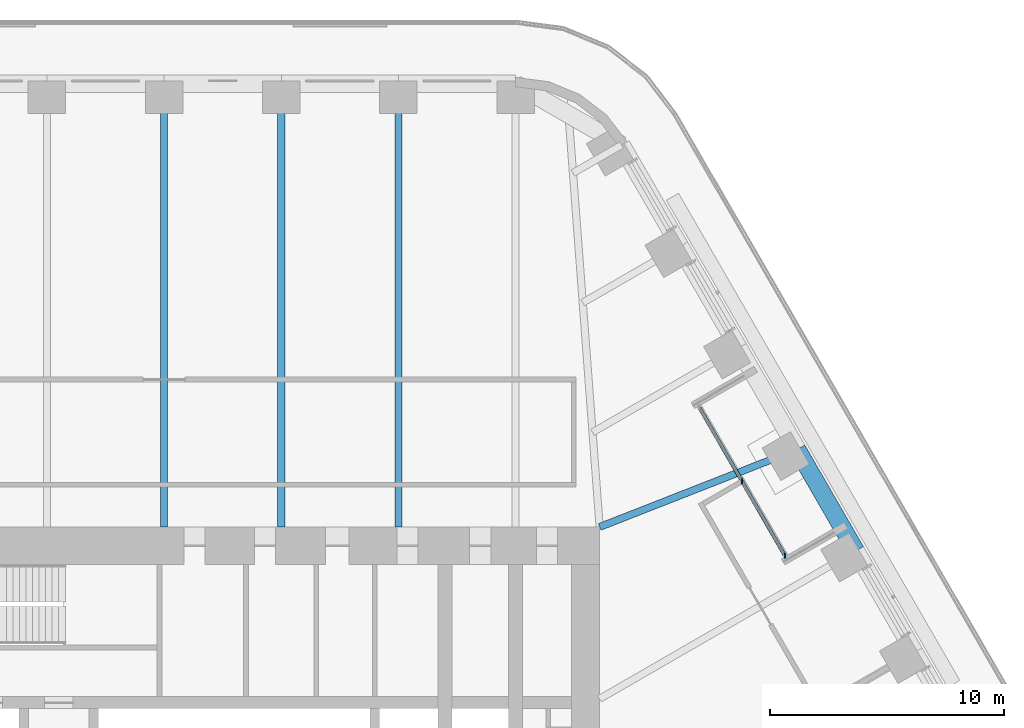
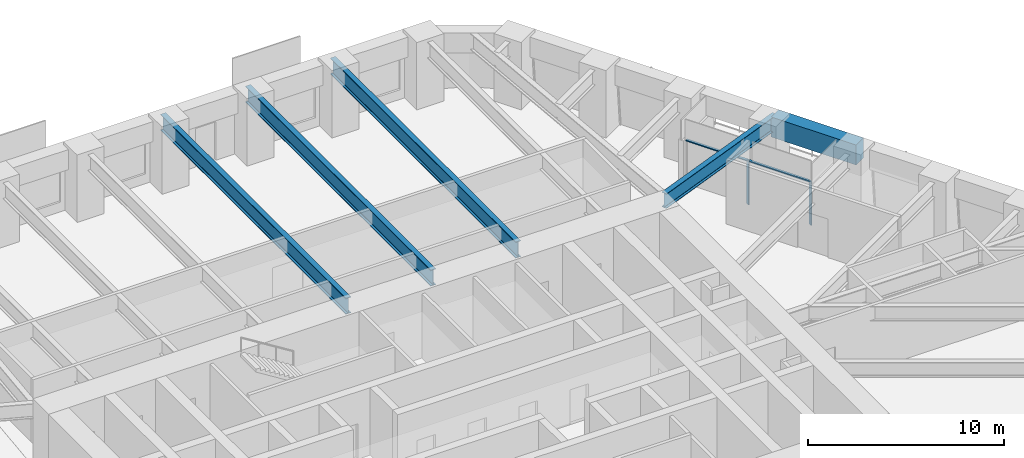
# One storey, part 11 of 24: 5 beams, 3 members, 1 element without a shape of its own.
"""IFC4 building model written with IfcOpenShell, lengths in metres."""

from ifc_helpers import new_model, si_unit, direction, frame, origin, origin_2d, place, context, subcontext, project, spatial, rectangle, i_section, extrude, material, material_profile, profile_set, type_object, element, aggregate, save


model = new_model("IFC4")

# Units and contexts
model_context = context("Model", 3, precision=1e-05, world=origin(), true_north=direction((0.0, 1.0)))
body_context = subcontext(model_context, "Body", "Model", "MODEL_VIEW")
ifc_project = project(units=[si_unit("LENGTHUNIT", "METRE"), si_unit("AREAUNIT", "SQUARE_METRE"), si_unit("VOLUMEUNIT", "CUBIC_METRE"), si_unit("PLANEANGLEUNIT", "RADIAN"), si_unit("MASSUNIT", "GRAM", prefix="KILO")], contexts=[model_context])

# Site, building, storey
site_placement = place(None, origin())
site = spatial("IfcSite", under=ifc_project, at=site_placement, CompositionType="ELEMENT")
building_placement = place(site_placement, origin())
building = spatial("IfcBuilding", under=site, at=building_placement, Name="Tarfa Lantern Tower", CompositionType="ELEMENT")
storey_placement = place(building_placement, frame((0.0, 0.0, 174.10009765625)))
storey = spatial("IfcBuildingStorey", under=building, at=storey_placement, Name="L39", CompositionType="ELEMENT", Elevation=174.10009765625)

# Curtain wall, members
ifc_material_1 = material(Name="Aluminium framed curtain wall", Category="aluminium")
curtain_wall_type = type_object("IfcCurtainWallType", Name="CW10 LOGGIA GLAZING 2750", PredefinedType="USERDEFINED", material=ifc_material_1)
curtain_wall_placement = place(storey_placement, origin())
curtain_wall = element("IfcCurtainWall", 1, at=curtain_wall_placement, inside=storey, type_object=curtain_wall_type, Name="CW10 NEL L39", ObjectType="CURTAIN WALL", PredefinedType="USERDEFINED")
ifc_material_2 = material(Name="Aluminium mullion", Category="aluminium")
ifc_material_profile_1 = material_profile(ifc_material_2, rectangle(XDim=0.06494140625, YDim=0.199951171875, at=origin_2d()), Name="AL MULLION 65x200")
ifc_profile_set_1 = profile_set([ifc_material_profile_1], Name="Aluminium mullion")
member_type_1 = type_object("IfcMemberType", Name="CWM1 MULLION 65x200", PredefinedType="MULLION", material=ifc_profile_set_1)
member_1_placement = place(storey_placement, frame((26.517333984375, 11.070556640625, 0.0), z_axis=(0.0, 0.0, 1.0), x_axis=(1.0, 0.0, 0.0)))
member_1 = element("IfcMember", 2, at=member_1_placement, type_object=member_type_1, Name="CW10 mullion 1", PredefinedType="MULLION", context=body_context, shape_type="SweptSolid", body=[
    extrude(rectangle(XDim=0.06494140625, YDim=0.199951171875, at=origin_2d()), origin(), (0.0, 0.0, 1.0), 2.75),
])
member_2_placement = place(storey_placement, frame((24.681640625, 14.25, 0.0), z_axis=(0.0, 0.0, 1.0), x_axis=(1.0, 0.0, 0.0)))
member_2 = element("IfcMember", 3, at=member_2_placement, type_object=member_type_1, Name="CW10 mullion 2", PredefinedType="MULLION", context=body_context, shape_type="SweptSolid", body=[
    extrude(rectangle(XDim=0.06494140625, YDim=0.199951171875, at=origin_2d()), origin(), (0.0, 0.0, 1.0), 2.75),
])
ifc_material_3 = material(Name="Aluminium transom", Category="aluminium")
ifc_material_profile_2 = material_profile(ifc_material_3, rectangle(XDim=0.14990234375, YDim=0.06494140625, at=origin_2d()), Name="AL TRANSOM 150x65")
ifc_profile_set_2 = profile_set([ifc_material_profile_2], Name="Aluminium transom")
member_type_2 = type_object("IfcMemberType", Name="CWT1 TRANSOM 150x65", PredefinedType="USERDEFINED", material=ifc_profile_set_2)
member_3_placement = place(storey_placement, frame((26.5009765625, 11.098876953125, 2.71728515625), z_axis=(-0.500007048974, 0.866021334019, 0.0), x_axis=(-0.866021334019, -0.500007048974, 0.0)))
member_3 = element("IfcMember", 4, at=member_3_placement, type_object=member_type_2, Name="CW10 transom 1.2", ObjectType="TRANSOM", PredefinedType="USERDEFINED", context=body_context, shape_type="SweptSolid", body=[
    extrude(rectangle(XDim=0.14990234375, YDim=0.06494140625, at=origin_2d()), origin(), (0.0, 0.0, 1.0), 7.27734375),
])
aggregate(curtain_wall, [member_1, member_2, member_3])

# Beams
ifc_material_4 = material(Name="Concrete C80/95", Category="concrete")
ifc_material_profile_3 = material_profile(ifc_material_4, rectangle(XDim=0.75, YDim=1.25, at=origin_2d()), Name="RC 750x1250")
ifc_profile_set_3 = profile_set([ifc_material_profile_3], Name="Concrete C80/95")
beam_type_1 = type_object("IfcBeamType", Name="EB2 RC 750x1250", PredefinedType="SPANDREL", material=ifc_profile_set_3)
beam_1_placement = place(storey_placement, frame((29.5390625, 11.276611328125, 3.375), z_axis=(-0.499964603504, 0.866045838996, 0.0), x_axis=(-0.866045838996, -0.499964603504, 0.0)))
element("IfcBeam", 5, at=beam_1_placement, inside=storey, type_object=beam_type_1, Name="Edge beam NE2", PredefinedType="SPANDREL", context=body_context, shape_type="SweptSolid", body=[
    extrude(rectangle(XDim=0.75, YDim=1.25, at=origin_2d()), origin(), (0.0, 0.0, 1.0), 5.003662109375),
])
ifc_material_5 = material(Name="Steel S460M", Category="steel")
ifc_material_profile_4 = material_profile(ifc_material_5, i_section(OverallWidth=0.302001953125, OverallDepth=1.008056640625, WebThickness=0.02099609375, FlangeThickness=0.0400390625, FilletRadius=0.030029296875, at=origin_2d()), Name="UB1016x305x349")
ifc_profile_set_4 = profile_set([ifc_material_profile_4], Name="Steel S460M")
beam_type_2 = type_object("IfcBeamType", Name="UB1016x305x349", PredefinedType="BEAM", material=ifc_profile_set_4)
for number, where, z_axis, x_axis, name in (
    (6, (10.00732421875, 31.219970703125, 3.495849609375), (0.0, -1.0, 0.0), (1.0, 0.0, 0.0), "Floor beam N1"),
    (7, (5.003662109375, 31.219970703125, 3.495849609375), (0.0, -1.0, 0.0), (1.0, 0.0, 0.0), "Floor beam N2"),
    (8, (0.0, 31.219970703125, 3.495849609375), (0.0, -1.0, 0.0), (1.0, 0.0, 0.0), "Floor beam N3"),
):
    element("IfcBeam", number, at=place(storey_placement, frame(where, z_axis=z_axis, x_axis=x_axis)), inside=storey, type_object=beam_type_2, Name=name, PredefinedType="BEAM", context=body_context, shape_type="SweptSolid", body=[
        extrude(i_section(OverallWidth=0.302001953125, OverallDepth=1.008056640625, WebThickness=0.02099609375, FlangeThickness=0.0400390625, FilletRadius=0.030029296875, at=origin_2d()), origin(), (0.0, 0.0, 1.0), 18.919921875),
    ])
ifc_material_profile_5 = material_profile(ifc_material_5, i_section(OverallWidth=0.305419921875, OverallDepth=0.91845703125, WebThickness=0.017333984375, FlangeThickness=0.02783203125, FilletRadius=0.01904296875, at=origin_2d()), Name="UB914x305x253")
ifc_profile_set_5 = profile_set([ifc_material_profile_5], Name="Steel S460M")
beam_type_3 = type_object("IfcBeamType", Name="UB914x305x253", PredefinedType="BEAM", material=ifc_profile_set_5)
beam_2_placement = place(storey_placement, frame((27.037353515625, 15.610107421875, 3.540771484375), z_axis=(-0.930923282782, -0.365214788274, 0.0), x_axis=(0.365214788274, -0.930923282782, 0.0)))
element("IfcBeam", 9, at=beam_2_placement, inside=storey, type_object=beam_type_3, Name="Floor beam NE3", PredefinedType="BEAM", context=body_context, shape_type="SweptSolid", body=[
    extrude(i_section(OverallWidth=0.305419921875, OverallDepth=0.91845703125, WebThickness=0.017333984375, FlangeThickness=0.02783203125, FilletRadius=0.01904296875, at=origin_2d()), origin(), (0.0, 0.0, 1.0), 9.063232421875),
])

save(model, "model.ifc")
